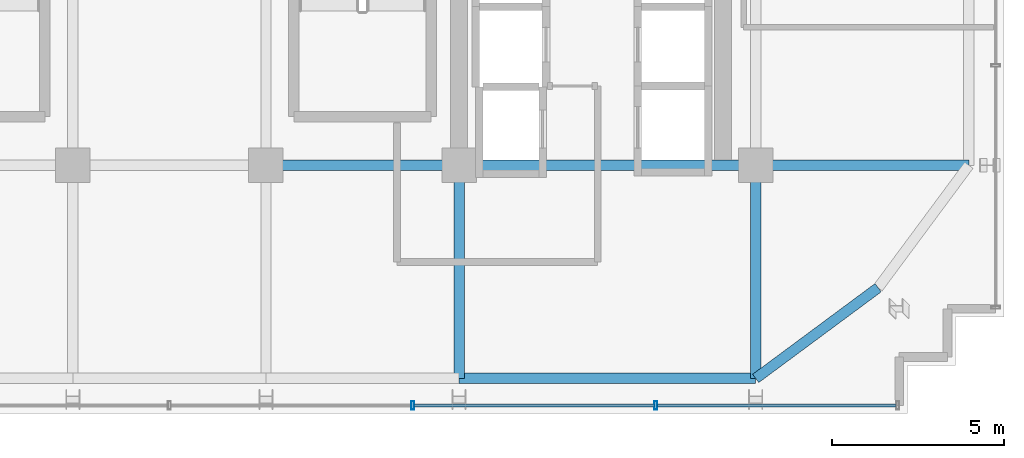
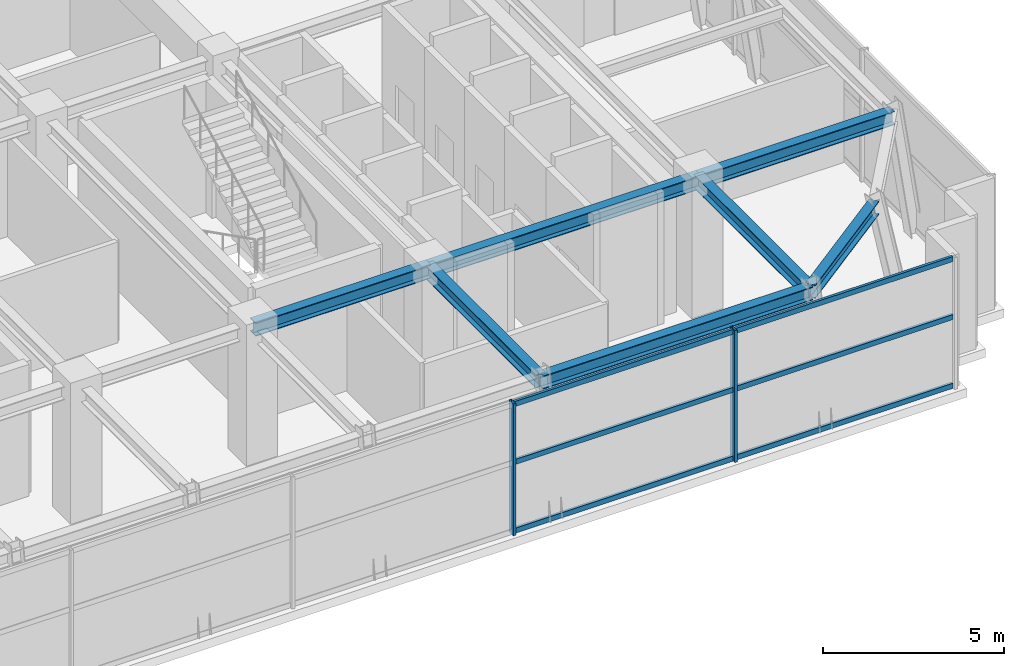
# One storey, part 8 of 28: 8 members, 7 beams, 1 element without a shape of its own.
"""IFC4 building model written with IfcOpenShell, lengths in metres."""

from ifc_helpers import new_model, si_unit, direction, frame, origin, origin_2d, place, context, subcontext, project, spatial, hollow_rectangle, i_section, extrude, source, transform, mapped, material, material_profile, profile_set, type_object, element, aggregate, save


model = new_model("IFC4")

# Units and contexts
model_context = context("Model", 3, precision=1e-05, world=origin(), true_north=direction((0.0, 1.0)))
body_context = subcontext(model_context, "Body", "Model", "MODEL_VIEW")
ifc_project = project(units=[si_unit("LENGTHUNIT", "METRE"), si_unit("AREAUNIT", "SQUARE_METRE"), si_unit("VOLUMEUNIT", "CUBIC_METRE"), si_unit("PLANEANGLEUNIT", "RADIAN"), si_unit("MASSUNIT", "GRAM", prefix="KILO")], contexts=[model_context])

# Site, building, storey
site_placement = place(None, origin())
site = spatial("IfcSite", under=ifc_project, at=site_placement, CompositionType="ELEMENT")
building_placement = place(site_placement, origin())
building = spatial("IfcBuilding", under=site, at=building_placement, Name="Nahalor Promenade Grand Hotel", CompositionType="ELEMENT")
storey_placement = place(building_placement, frame((0.0, 0.0, 256.699951171875)))
storey = spatial("IfcBuildingStorey", under=building, at=storey_placement, Name="L66", CompositionType="ELEMENT", Elevation=256.699951171875)

# Beams
ifc_material_1 = material(Name="Steel S355JR", Category="steel")
ifc_material_profile_1 = material_profile(ifc_material_1, i_section(OverallWidth=0.3, OverallDepth=0.45, WebThickness=0.014, FlangeThickness=0.026, at=origin_2d()), Name="HEB 450")
ifc_profile_set_1 = profile_set([ifc_material_profile_1], Name="Steel S355JR")
beam_type_1 = type_object("IfcBeamType", Name="Beam-Spandrel-HEB450", PredefinedType="SPANDREL", material=ifc_profile_set_1)
shared_shape_1 = source(origin(), body_context, "Body", "SweptSolid", [
    extrude(i_section(OverallWidth=0.3, OverallDepth=0.45, WebThickness=0.014, FlangeThickness=0.026, at=origin_2d()), origin(), (0.0, 0.0, 1.0), 8.60009765625),
])
beam_1_placement = place(storey_placement, frame((8.39990234375, -23.179931640625, 4.215087890625), z_axis=(1.0, 0.0, 0.0), x_axis=(0.0, 1.0, 0.0)))
element("IfcBeam", 1, at=beam_1_placement, inside=storey, type_object=beam_type_1, Name="BM-L66-SP-S-4", PredefinedType="SPANDREL", context=body_context, shape_type="MappedRepresentation", body=[
    mapped(shared_shape_1, transform((0.0, 0.0, 0.0), scale=1.0)),
])
ifc_material_profile_2 = material_profile(ifc_material_1, i_section(OverallWidth=0.3, OverallDepth=0.45, WebThickness=0.014, FlangeThickness=0.026, at=origin_2d()), Name="HEB 450")
ifc_profile_set_2 = profile_set([ifc_material_profile_2], Name="Steel S355JR")
beam_type_2 = type_object("IfcBeamType", Name="Beam-Girder-HEB450", PredefinedType="BEAM", material=ifc_profile_set_2)
shared_shape_2 = source(origin(), body_context, "Body", "SweptSolid", [
    extrude(i_section(OverallWidth=0.3, OverallDepth=0.45, WebThickness=0.014, FlangeThickness=0.026, at=origin_2d()), origin(), (0.0, 0.0, 1.0), 8.60009765625),
])
beam_2_placement = place(storey_placement, frame((8.39990234375, -17.0, 4.215087890625), z_axis=(1.0, 0.0, 0.0), x_axis=(0.0, 1.0, 0.0)))
element("IfcBeam", 2, at=beam_2_placement, inside=storey, type_object=beam_type_2, Name="BM-L66-GX-0-5", PredefinedType="BEAM", context=body_context, shape_type="MappedRepresentation", body=[
    mapped(shared_shape_2, transform((0.0, 0.0, 0.0), scale=1.0)),
])
shared_shape_3 = source(origin(), body_context, "Body", "SweptSolid", [
    extrude(i_section(OverallWidth=0.3, OverallDepth=0.45, WebThickness=0.014, FlangeThickness=0.026, at=origin_2d()), origin(), (0.0, 0.0, 1.0), 5.599853515625),
])
beam_3_placement = place(storey_placement, frame((2.800048828125, -17.0, 4.215087890625), z_axis=(1.0, 0.0, 0.0), x_axis=(0.0, 1.0, 0.0)))
element("IfcBeam", 3, at=beam_3_placement, inside=storey, type_object=beam_type_2, Name="BM-L66-GX-0-4", PredefinedType="BEAM", context=body_context, shape_type="MappedRepresentation", body=[
    mapped(shared_shape_3, transform((0.0, 0.0, 0.0), scale=1.0)),
])
shared_shape_4 = source(origin(), body_context, "Body", "SweptSolid", [
    extrude(i_section(OverallWidth=0.3, OverallDepth=0.45, WebThickness=0.014, FlangeThickness=0.026, at=origin_2d()), origin(), (0.0, 0.0, 1.0), 6.179931640625),
])
for number, where, z_axis, x_axis, name in (
    (4, (17.0, -17.0, 4.215087890625), (1.0, 0.0, 0.0), (0.0, 1.0, 0.0), "BM-L66-GX-0-6"),
    (5, (8.39990234375, -23.179931640625, 4.215087890625), (0.0, 1.0, 0.0), (-1.0, 0.0, 0.0), "BM-L66-GY-4-0"),
    (6, (17.0, -23.179931640625, 4.215087890625), (0.0, 1.0, 0.0), (-1.0, 0.0, 0.0), "BM-L66-GY-5-0"),
):
    element("IfcBeam", number, at=place(storey_placement, frame(where, z_axis=z_axis, x_axis=x_axis)), inside=storey, type_object=beam_type_2, Name=name, PredefinedType="BEAM", context=body_context, shape_type="MappedRepresentation", body=[
        mapped(shared_shape_4, transform((0.0, 0.0, 0.0), scale=1.0)),
    ])
shared_shape_5 = source(origin(), body_context, "Body", "SweptSolid", [
    extrude(i_section(OverallWidth=0.3, OverallDepth=0.45, WebThickness=0.014, FlangeThickness=0.026, at=origin_2d()), origin(), (0.0, 0.0, 1.0), 4.41796875),
])
beam_4_placement = place(storey_placement, frame((17.0, -23.179931640625, 4.215087890625), z_axis=(0.803533698711, 0.595259267073, 0.0), x_axis=(-0.595259267073, 0.803533698711, 0.0)))
element("IfcBeam", 7, at=beam_4_placement, inside=storey, type_object=beam_type_1, Name="BM-L66-SPC-SE-1", PredefinedType="SPANDREL", context=body_context, shape_type="MappedRepresentation", body=[
    mapped(shared_shape_5, transform((0.0, 0.0, 0.0), scale=1.0)),
])

# Curtain wall, members
ifc_material_2 = material(Name="Anodised Bronze Aluminium EN AW-6063 T6", Category="aluminium")
curtain_wall_type = type_object("IfcCurtainWallType", Name="CW5 Sky-Lobby & Observation Panoramic Curtain Wall", PredefinedType="USERDEFINED", material=ifc_material_2)
curtain_wall_placement = place(storey_placement, origin())
curtain_wall = element("IfcCurtainWall", 8, at=curtain_wall_placement, inside=storey, type_object=curtain_wall_type, Name="L66 Curtain Wall CW-L66-S-1", ObjectType="UNITISED_CURTAIN_WALL", PredefinedType="USERDEFINED")
ifc_material_profile_3 = material_profile(ifc_material_2, hollow_rectangle(XDim=0.085, YDim=0.25, WallThickness=0.006, at=origin_2d()), Name="CWM 85x250x6")
ifc_profile_set_3 = profile_set([ifc_material_profile_3], Name="Anodised Bronze Aluminium EN AW-6063 T6")
member_type_1 = type_object("IfcMemberType", Name="CWM5 Panoramic Deep Mullion 85x250", PredefinedType="MULLION", material=ifc_profile_set_3)
shared_shape_6 = source(origin(), body_context, "Body", "SweptSolid", [
    extrude(hollow_rectangle(XDim=0.085, YDim=0.25, WallThickness=0.006, at=origin_2d()), origin(), (0.0, 0.0, 1.0), 4.43994140625),
])
member_1_placement = place(storey_placement, frame((7.05322265625, -23.9599609375, 0.0), z_axis=(0.0, 0.0, 1.0), x_axis=(1.0, 0.0, 0.0)))
member_1 = element("IfcMember", 9, at=member_1_placement, type_object=member_type_1, Name="CW-L66-S-1 Mullion 4", PredefinedType="MULLION", context=body_context, shape_type="MappedRepresentation", body=[
    mapped(shared_shape_6, transform((0.0, 0.0, 0.0), scale=1.0)),
])
member_2_placement = place(storey_placement, frame((14.106689453125, -23.9599609375, 0.0), z_axis=(0.0, 0.0, 1.0), x_axis=(1.0, 0.0, 0.0)))
member_2 = element("IfcMember", 10, at=member_2_placement, type_object=member_type_1, Name="CW-L66-S-1 Mullion 5", PredefinedType="MULLION", context=body_context, shape_type="MappedRepresentation", body=[
    mapped(shared_shape_6, transform((0.0, 0.0, 0.0), scale=1.0)),
])
ifc_material_profile_4 = material_profile(ifc_material_2, hollow_rectangle(XDim=0.085, YDim=0.17, WallThickness=0.005, at=origin_2d()), Name="CWT 85x170x5")
ifc_profile_set_4 = profile_set([ifc_material_profile_4], Name="Anodised Bronze Aluminium EN AW-6063 T6")
member_type_2 = type_object("IfcMemberType", Name="CWT5 Panoramic Transom 85x170", PredefinedType="USERDEFINED", material=ifc_profile_set_4)
shared_shape_7 = source(origin(), body_context, "Body", "SweptSolid", [
    extrude(hollow_rectangle(XDim=0.085, YDim=0.17, WallThickness=0.005, at=origin_2d()), origin(), (0.0, 0.0, 1.0), 6.92578125),
])
member_3_placement = place(storey_placement, frame((14.149169921875, -23.9599609375, 0.0849609375), z_axis=(1.0, 0.0, 0.0), x_axis=(0.0, 1.0, 0.0)))
member_3 = element("IfcMember", 11, at=member_3_placement, type_object=member_type_2, Name="CW-L66-S-1 Transom 5-0", ObjectType="TRANSOM", PredefinedType="USERDEFINED", context=body_context, shape_type="MappedRepresentation", body=[
    mapped(shared_shape_7, transform((0.0, 0.0, 0.0), scale=1.0)),
])
member_4_placement = place(storey_placement, frame((14.149169921875, -23.9599609375, 2.400146484375), z_axis=(1.0, 0.0, 0.0), x_axis=(0.0, 1.0, 0.0)))
member_4 = element("IfcMember", 12, at=member_4_placement, type_object=member_type_2, Name="CW-L66-S-1 Transom 5-1", ObjectType="TRANSOM", PredefinedType="USERDEFINED", context=body_context, shape_type="MappedRepresentation", body=[
    mapped(shared_shape_7, transform((0.0, 0.0, 0.0), scale=1.0)),
])
member_5_placement = place(storey_placement, frame((14.149169921875, -23.9599609375, 4.35498046875), z_axis=(1.0, 0.0, 0.0), x_axis=(0.0, 1.0, 0.0)))
member_5 = element("IfcMember", 13, at=member_5_placement, type_object=member_type_2, Name="CW-L66-S-1 Transom 5-2", ObjectType="TRANSOM", PredefinedType="USERDEFINED", context=body_context, shape_type="MappedRepresentation", body=[
    mapped(shared_shape_7, transform((0.0, 0.0, 0.0), scale=1.0)),
])
shared_shape_8 = source(origin(), body_context, "Body", "SweptSolid", [
    extrude(hollow_rectangle(XDim=0.085, YDim=0.17, WallThickness=0.005, at=origin_2d()), origin(), (0.0, 0.0, 1.0), 6.96826171875),
])
member_6_placement = place(storey_placement, frame((7.095947265625, -23.9599609375, 0.0849609375), z_axis=(1.0, 0.0, 0.0), x_axis=(0.0, 1.0, 0.0)))
member_6 = element("IfcMember", 14, at=member_6_placement, type_object=member_type_2, Name="CW-L66-S-1 Transom 4-0", ObjectType="TRANSOM", PredefinedType="USERDEFINED", context=body_context, shape_type="MappedRepresentation", body=[
    mapped(shared_shape_8, transform((0.0, 0.0, 0.0), scale=1.0)),
])
member_7_placement = place(storey_placement, frame((7.095947265625, -23.9599609375, 2.400146484375), z_axis=(1.0, 0.0, 0.0), x_axis=(0.0, 1.0, 0.0)))
member_7 = element("IfcMember", 15, at=member_7_placement, type_object=member_type_2, Name="CW-L66-S-1 Transom 4-1", ObjectType="TRANSOM", PredefinedType="USERDEFINED", context=body_context, shape_type="MappedRepresentation", body=[
    mapped(shared_shape_8, transform((0.0, 0.0, 0.0), scale=1.0)),
])
member_8_placement = place(storey_placement, frame((7.095947265625, -23.9599609375, 4.35498046875), z_axis=(1.0, 0.0, 0.0), x_axis=(0.0, 1.0, 0.0)))
member_8 = element("IfcMember", 16, at=member_8_placement, type_object=member_type_2, Name="CW-L66-S-1 Transom 4-2", ObjectType="TRANSOM", PredefinedType="USERDEFINED", context=body_context, shape_type="MappedRepresentation", body=[
    mapped(shared_shape_8, transform((0.0, 0.0, 0.0), scale=1.0)),
])
aggregate(curtain_wall, [member_1, member_2, member_6, member_7, member_8, member_3, member_4, member_5])

save(model, "model.ifc")
